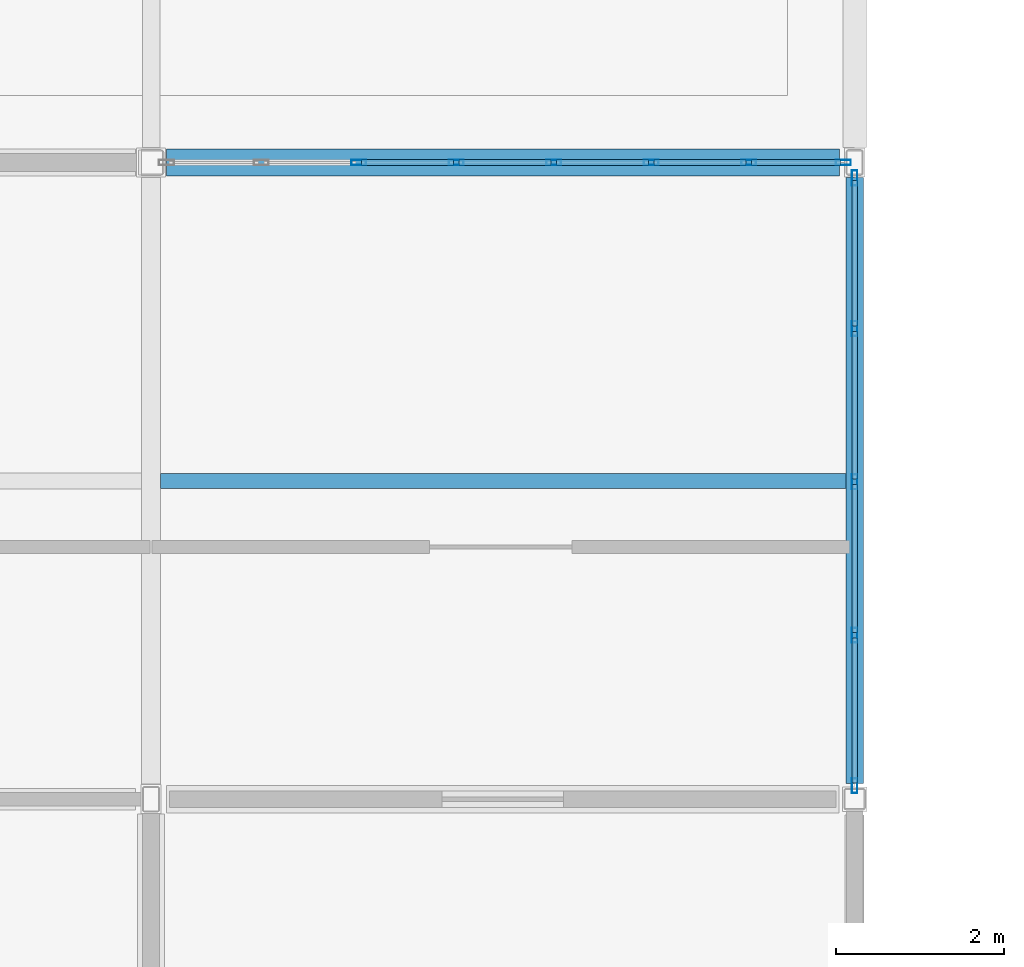
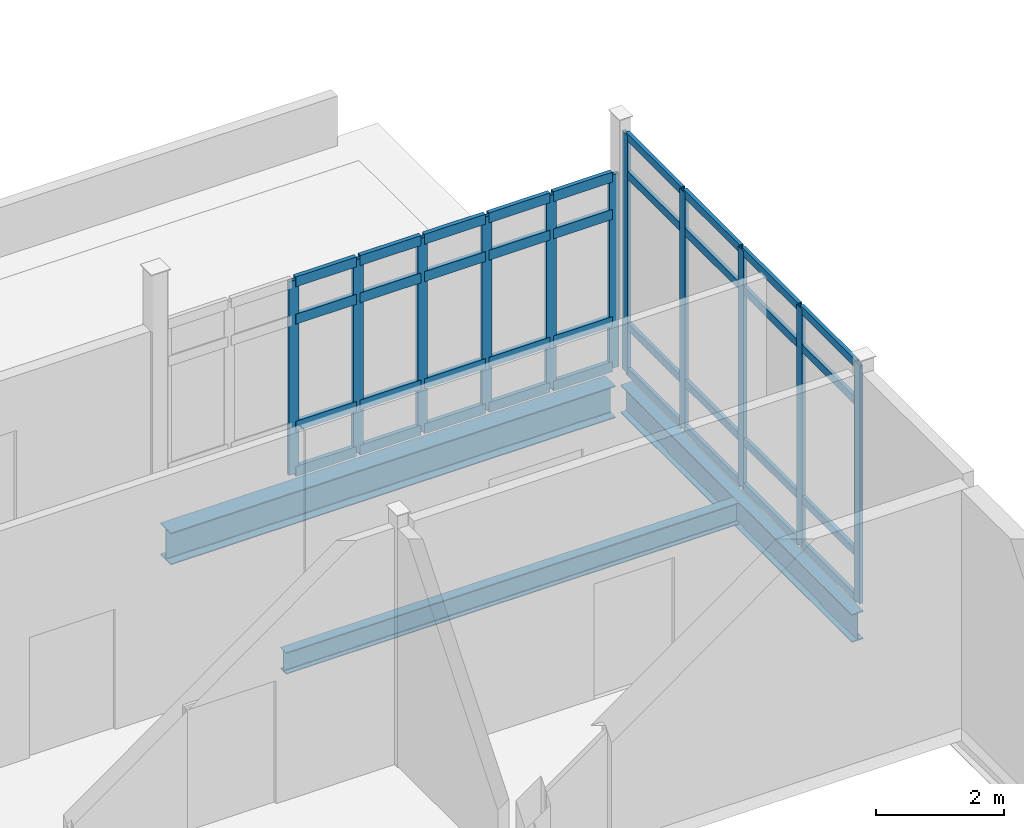
# One storey, part 42 of 186: 47 members, 3 beams, 2 elements without a shape of their own.
"""IFC4 building model written with IfcOpenShell, lengths in metres."""

from ifc_helpers import new_model, si_unit, direction, frame, origin, origin_2d, place, context, subcontext, project, spatial, hollow_rectangle, i_section, extrude, material, layer, layer_set, material_profile, profile_set, type_object, element, aggregate, save


model = new_model("IFC4")

# Units and contexts
model_context = context("Model", 3, precision=1e-05, world=origin(), true_north=direction((0.0, 1.0)))
body_context = subcontext(model_context, "Body", "Model", "MODEL_VIEW")
ifc_project = project(units=[si_unit("LENGTHUNIT", "METRE"), si_unit("AREAUNIT", "SQUARE_METRE"), si_unit("VOLUMEUNIT", "CUBIC_METRE"), si_unit("PLANEANGLEUNIT", "RADIAN"), si_unit("MASSUNIT", "GRAM", prefix="KILO")], contexts=[model_context])

# Site, building, storey
site_placement = place(None, origin())
site = spatial("IfcSite", under=ifc_project, at=site_placement, CompositionType="ELEMENT")
building_placement = place(site_placement, origin())
building = spatial("IfcBuilding", under=site, at=building_placement, Name="Calvrana Isthmian Art Gallery", CompositionType="ELEMENT")
storey_placement = place(building_placement, frame((0.0, 0.0, 5.39990234375)))
storey = spatial("IfcBuildingStorey", under=building, at=storey_placement, Name="L01", CompositionType="ELEMENT", Elevation=5.39990234375)

# Beams
ifc_material_1 = material(Name="Steel ASTM A992 Gr 50", Category="steel")
ifc_material_profile_1 = material_profile(ifc_material_1, i_section(OverallWidth=0.208984375, OverallDepth=0.532958984375, WebThickness=0.01025390625, FlangeThickness=0.015625, FilletRadius=0.02099609375, at=origin_2d()), Name="W21X62")
ifc_profile_set_1 = profile_set([ifc_material_profile_1], Name="Steel ASTM A992 Gr 50")
beam_type_1 = type_object("IfcBeamType", Name="BM-G-W21X62", PredefinedType="BEAM", material=ifc_profile_set_1)
beam_1_placement = place(storey_placement, frame((38.39990234375, 54.58642578125, -0.511474609375), z_axis=(0.0, 1.0, 0.0), x_axis=(-1.0, 0.0, 0.0)))
element("IfcBeam", 1, at=beam_1_placement, inside=storey, type_object=beam_type_1, Name="Girder Y L01 06/H-I", PredefinedType="BEAM", context=body_context, shape_type="SweptSolid", body=[
    extrude(i_section(OverallWidth=0.208984375, OverallDepth=0.532958984375, WebThickness=0.01025390625, FlangeThickness=0.015625, FilletRadius=0.02099609375, at=origin_2d()), origin(), (0.0, 0.0, 1.0), 7.235595703125),
])
ifc_material_profile_2 = material_profile(ifc_material_1, i_section(OverallWidth=0.324951171875, OverallDepth=0.612060546875, WebThickness=0.0126953125, FlangeThickness=0.01904296875, FilletRadius=0.02197265625, at=origin_2d()), Name="W24X104")
ifc_profile_set_2 = profile_set([ifc_material_profile_2], Name="Steel ASTM A992 Gr 50")
beam_type_2 = type_object("IfcBeamType", Name="BM-G-W24X104", PredefinedType="BEAM", material=ifc_profile_set_2)
beam_2_placement = place(storey_placement, frame((30.185546875, 62.0, -0.55078125), z_axis=(1.0, 0.0, 0.0), x_axis=(0.0, 1.0, 0.0)))
element("IfcBeam", 2, at=beam_2_placement, inside=storey, type_object=beam_type_2, Name="Girder X L01 05-06/I", PredefinedType="BEAM", context=body_context, shape_type="SweptSolid", body=[
    extrude(i_section(OverallWidth=0.324951171875, OverallDepth=0.612060546875, WebThickness=0.0126953125, FlangeThickness=0.01904296875, FilletRadius=0.02197265625, at=origin_2d()), origin(), (0.0, 0.0, 1.0), 8.030517578125),
])
ifc_material_profile_3 = material_profile(ifc_material_1, i_section(OverallWidth=0.179931640625, OverallDepth=0.4140625, WebThickness=0.009765625, FlangeThickness=0.01611328125, FilletRadius=0.01806640625, at=origin_2d()), Name="W16X50")
ifc_profile_set_3 = profile_set([ifc_material_profile_3], Name="Steel ASTM A992 Gr 50")
beam_type_3 = type_object("IfcBeamType", Name="BM-J-W16X50", PredefinedType="JOIST", material=ifc_profile_set_3)
beam_3_placement = place(storey_placement, frame((30.114013671875, 58.199951171875, -0.451904296875), z_axis=(1.0, 0.0, 0.0), x_axis=(0.0, 1.0, 0.0)))
element("IfcBeam", 3, at=beam_3_placement, inside=storey, type_object=beam_type_3, Name="Composite joist L01 bay 04-07", PredefinedType="JOIST", context=body_context, shape_type="SweptSolid", body=[
    extrude(i_section(OverallWidth=0.179931640625, OverallDepth=0.4140625, WebThickness=0.009765625, FlangeThickness=0.01611328125, FilletRadius=0.01806640625, at=origin_2d()), origin(), (0.0, 0.0, 1.0), 8.181396484375),
])

# Curtain wall, members
ifc_material_2 = material(Name="Anodized bronze aluminium 6063-T6", Category="aluminium")
ifc_layer_1 = layer(ifc_material_2, 0.179931640625, Name="Anodized bronze aluminium 6063-T6")
ifc_layer_set_1 = layer_set([ifc_layer_1], Name="Anodized bronze aluminium 6063-T6")
curtain_wall_type_1 = type_object("IfcCurtainWallType", Name="CW-UNIT-081X37", PredefinedType="USERDEFINED", material=ifc_layer_set_1)
curtain_wall_1_placement = place(storey_placement, origin())
curtain_wall_1 = element("IfcCurtainWall", 4, at=curtain_wall_1_placement, inside=storey, type_object=curtain_wall_type_1, Name="Curtain wall CW-104", ObjectType="UNITISED CURTAIN WALL", PredefinedType="USERDEFINED")
ifc_material_profile_4 = material_profile(ifc_material_2, hollow_rectangle(XDim=0.06494140625, YDim=0.179931640625, WallThickness=0.00439453125, at=origin_2d()), Name="CWM65X180")
ifc_profile_set_4 = profile_set([ifc_material_profile_4], Name="Anodized bronze aluminium 6063-T6")
member_type_1 = type_object("IfcMemberType", Name="CWM-CWM65X180", PredefinedType="MULLION", material=ifc_profile_set_4)
member_1_placement = place(storey_placement, frame((32.479736328125, 62.0, 0.0), z_axis=(0.0, 0.0, 1.0), x_axis=(0.0, 1.0, 0.0)))
member_1 = element("IfcMember", 5, at=member_1_placement, type_object=member_type_1, Name="CW-104 mullion 3", PredefinedType="MULLION", context=body_context, shape_type="SweptSolid", body=[
    extrude(hollow_rectangle(XDim=0.06494140625, YDim=0.179931640625, WallThickness=0.00439453125, at=origin_2d()), origin(), (0.0, 0.0, 1.0), 3.695068359375),
])
member_2_placement = place(storey_placement, frame((33.6435546875, 62.0, 0.0), z_axis=(0.0, 0.0, 1.0), x_axis=(0.0, 1.0, 0.0)))
member_2 = element("IfcMember", 6, at=member_2_placement, type_object=member_type_1, Name="CW-104 mullion 4", PredefinedType="MULLION", context=body_context, shape_type="SweptSolid", body=[
    extrude(hollow_rectangle(XDim=0.06494140625, YDim=0.179931640625, WallThickness=0.00439453125, at=origin_2d()), origin(), (0.0, 0.0, 1.0), 3.695068359375),
])
member_3_placement = place(storey_placement, frame((34.807373046875, 62.0, 0.0), z_axis=(0.0, 0.0, 1.0), x_axis=(0.0, 1.0, 0.0)))
member_3 = element("IfcMember", 7, at=member_3_placement, type_object=member_type_1, Name="CW-104 mullion 5", PredefinedType="MULLION", context=body_context, shape_type="SweptSolid", body=[
    extrude(hollow_rectangle(XDim=0.06494140625, YDim=0.179931640625, WallThickness=0.00439453125, at=origin_2d()), origin(), (0.0, 0.0, 1.0), 3.695068359375),
])
member_4_placement = place(storey_placement, frame((35.970947265625, 62.0, 0.0), z_axis=(0.0, 0.0, 1.0), x_axis=(0.0, 1.0, 0.0)))
member_4 = element("IfcMember", 8, at=member_4_placement, type_object=member_type_1, Name="CW-104 mullion 6", PredefinedType="MULLION", context=body_context, shape_type="SweptSolid", body=[
    extrude(hollow_rectangle(XDim=0.06494140625, YDim=0.179931640625, WallThickness=0.00439453125, at=origin_2d()), origin(), (0.0, 0.0, 1.0), 3.695068359375),
])
member_5_placement = place(storey_placement, frame((37.134765625, 62.0, 0.0), z_axis=(0.0, 0.0, 1.0), x_axis=(0.0, 1.0, 0.0)))
member_5 = element("IfcMember", 9, at=member_5_placement, type_object=member_type_1, Name="CW-104 mullion 7", PredefinedType="MULLION", context=body_context, shape_type="SweptSolid", body=[
    extrude(hollow_rectangle(XDim=0.06494140625, YDim=0.179931640625, WallThickness=0.00439453125, at=origin_2d()), origin(), (0.0, 0.0, 1.0), 3.695068359375),
])
member_6_placement = place(storey_placement, frame((38.265869140625, 62.0, 0.0), z_axis=(0.0, 0.0, 1.0), x_axis=(0.0, 1.0, 0.0)))
member_6 = element("IfcMember", 10, at=member_6_placement, type_object=member_type_1, Name="CW-104 mullion 8", PredefinedType="MULLION", context=body_context, shape_type="SweptSolid", body=[
    extrude(hollow_rectangle(XDim=0.06494140625, YDim=0.179931640625, WallThickness=0.00439453125, at=origin_2d()), origin(), (0.0, 0.0, 1.0), 3.695068359375),
])

ifc_layer_2 = layer(ifc_material_2, 0.179931640625, Name="Anodized bronze aluminium 6063-T6")
ifc_layer_set_2 = layer_set([ifc_layer_2], Name="Anodized bronze aluminium 6063-T6")
curtain_wall_type_2 = type_object("IfcCurtainWallType", Name="CW-UNIT-073X45", PredefinedType="USERDEFINED", material=ifc_layer_set_2)
curtain_wall_2_placement = place(storey_placement, origin())
curtain_wall_2 = element("IfcCurtainWall", 11, at=curtain_wall_2_placement, inside=storey, type_object=curtain_wall_type_2, Name="Curtain wall CW-122", ObjectType="UNITISED CURTAIN WALL", PredefinedType="USERDEFINED")
member_7_placement = place(storey_placement, frame((38.39990234375, 61.815185546875, 0.0), z_axis=(0.0, 0.0, 1.0), x_axis=(1.0, 0.0, 0.0)))
member_7 = element("IfcMember", 12, at=member_7_placement, type_object=member_type_1, Name="CW-122 mullion 1", PredefinedType="MULLION", context=body_context, shape_type="SweptSolid", body=[
    extrude(hollow_rectangle(XDim=0.06494140625, YDim=0.179931640625, WallThickness=0.00439453125, at=origin_2d()), origin(), (0.0, 0.0, 1.0), 4.5400390625),
])
member_8_placement = place(storey_placement, frame((38.39990234375, 60.017333984375, 0.0), z_axis=(0.0, 0.0, 1.0), x_axis=(1.0, 0.0, 0.0)))
member_8 = element("IfcMember", 13, at=member_8_placement, type_object=member_type_1, Name="CW-122 mullion 2", PredefinedType="MULLION", context=body_context, shape_type="SweptSolid", body=[
    extrude(hollow_rectangle(XDim=0.06494140625, YDim=0.179931640625, WallThickness=0.00439453125, at=origin_2d()), origin(), (0.0, 0.0, 1.0), 4.5400390625),
])
member_9_placement = place(storey_placement, frame((38.39990234375, 58.187255859375, 0.0), z_axis=(0.0, 0.0, 1.0), x_axis=(1.0, 0.0, 0.0)))
member_9 = element("IfcMember", 14, at=member_9_placement, type_object=member_type_1, Name="CW-122 mullion 3", PredefinedType="MULLION", context=body_context, shape_type="SweptSolid", body=[
    extrude(hollow_rectangle(XDim=0.06494140625, YDim=0.179931640625, WallThickness=0.00439453125, at=origin_2d()), origin(), (0.0, 0.0, 1.0), 4.5400390625),
])
member_10_placement = place(storey_placement, frame((38.39990234375, 56.357177734375, 0.0), z_axis=(0.0, 0.0, 1.0), x_axis=(1.0, 0.0, 0.0)))
member_10 = element("IfcMember", 15, at=member_10_placement, type_object=member_type_1, Name="CW-122 mullion 4", PredefinedType="MULLION", context=body_context, shape_type="SweptSolid", body=[
    extrude(hollow_rectangle(XDim=0.06494140625, YDim=0.179931640625, WallThickness=0.00439453125, at=origin_2d()), origin(), (0.0, 0.0, 1.0), 4.5400390625),
])
member_11_placement = place(storey_placement, frame((38.39990234375, 54.5595703125, 0.0), z_axis=(0.0, 0.0, 1.0), x_axis=(1.0, 0.0, 0.0)))
member_11 = element("IfcMember", 16, at=member_11_placement, type_object=member_type_1, Name="CW-122 mullion 5", PredefinedType="MULLION", context=body_context, shape_type="SweptSolid", body=[
    extrude(hollow_rectangle(XDim=0.06494140625, YDim=0.179931640625, WallThickness=0.00439453125, at=origin_2d()), origin(), (0.0, 0.0, 1.0), 4.5400390625),
])
ifc_material_profile_5 = material_profile(ifc_material_2, hollow_rectangle(XDim=0.06494140625, YDim=0.14990234375, WallThickness=0.00390625, at=origin_2d()), Name="CWT65X150")
ifc_profile_set_5 = profile_set([ifc_material_profile_5], Name="Anodized bronze aluminium 6063-T6")
member_type_2 = type_object("IfcMemberType", Name="CWT-CWT65X150", PredefinedType="USERDEFINED", material=ifc_profile_set_5)
member_12_placement = place(storey_placement, frame((38.39990234375, 61.78271484375, 0.03271484375), z_axis=(0.0, -1.0, 0.0), x_axis=(1.0, 0.0, 0.0)))
member_12 = element("IfcMember", 17, at=member_12_placement, type_object=member_type_2, Name="CW-122 transom 1.1", ObjectType="TRANSOM", PredefinedType="USERDEFINED", context=body_context, shape_type="SweptSolid", body=[
    extrude(hollow_rectangle(XDim=0.06494140625, YDim=0.14990234375, WallThickness=0.00390625, at=origin_2d()), origin(), (0.0, 0.0, 1.0), 1.732666015625),
])
member_13_placement = place(storey_placement, frame((38.39990234375, 61.78271484375, 0.900146484375), z_axis=(0.0, -1.0, 0.0), x_axis=(1.0, 0.0, 0.0)))
member_13 = element("IfcMember", 18, at=member_13_placement, type_object=member_type_2, Name="CW-122 transom 1.2", ObjectType="TRANSOM", PredefinedType="USERDEFINED", context=body_context, shape_type="SweptSolid", body=[
    extrude(hollow_rectangle(XDim=0.06494140625, YDim=0.14990234375, WallThickness=0.00390625, at=origin_2d()), origin(), (0.0, 0.0, 1.0), 1.732666015625),
])
member_14_placement = place(storey_placement, frame((38.39990234375, 61.78271484375, 3.7900390625), z_axis=(0.0, -1.0, 0.0), x_axis=(1.0, 0.0, 0.0)))
member_14 = element("IfcMember", 19, at=member_14_placement, type_object=member_type_2, Name="CW-122 transom 1.3", ObjectType="TRANSOM", PredefinedType="USERDEFINED", context=body_context, shape_type="SweptSolid", body=[
    extrude(hollow_rectangle(XDim=0.06494140625, YDim=0.14990234375, WallThickness=0.00390625, at=origin_2d()), origin(), (0.0, 0.0, 1.0), 1.732666015625),
])
member_15_placement = place(storey_placement, frame((38.39990234375, 61.78271484375, 4.507568359375), z_axis=(0.0, -1.0, 0.0), x_axis=(1.0, 0.0, 0.0)))
member_15 = element("IfcMember", 20, at=member_15_placement, type_object=member_type_2, Name="CW-122 transom 1.4", ObjectType="TRANSOM", PredefinedType="USERDEFINED", context=body_context, shape_type="SweptSolid", body=[
    extrude(hollow_rectangle(XDim=0.06494140625, YDim=0.14990234375, WallThickness=0.00390625, at=origin_2d()), origin(), (0.0, 0.0, 1.0), 1.732666015625),
])
member_16_placement = place(storey_placement, frame((38.39990234375, 59.98486328125, 0.03271484375), z_axis=(0.0, -1.0, 0.0), x_axis=(1.0, 0.0, 0.0)))
member_16 = element("IfcMember", 21, at=member_16_placement, type_object=member_type_2, Name="CW-122 transom 2.1", ObjectType="TRANSOM", PredefinedType="USERDEFINED", context=body_context, shape_type="SweptSolid", body=[
    extrude(hollow_rectangle(XDim=0.06494140625, YDim=0.14990234375, WallThickness=0.00390625, at=origin_2d()), origin(), (0.0, 0.0, 1.0), 1.76513671875),
])
member_17_placement = place(storey_placement, frame((38.39990234375, 59.98486328125, 0.900146484375), z_axis=(0.0, -1.0, 0.0), x_axis=(1.0, 0.0, 0.0)))
member_17 = element("IfcMember", 22, at=member_17_placement, type_object=member_type_2, Name="CW-122 transom 2.2", ObjectType="TRANSOM", PredefinedType="USERDEFINED", context=body_context, shape_type="SweptSolid", body=[
    extrude(hollow_rectangle(XDim=0.06494140625, YDim=0.14990234375, WallThickness=0.00390625, at=origin_2d()), origin(), (0.0, 0.0, 1.0), 1.76513671875),
])
member_18_placement = place(storey_placement, frame((38.39990234375, 59.98486328125, 3.7900390625), z_axis=(0.0, -1.0, 0.0), x_axis=(1.0, 0.0, 0.0)))
member_18 = element("IfcMember", 23, at=member_18_placement, type_object=member_type_2, Name="CW-122 transom 2.3", ObjectType="TRANSOM", PredefinedType="USERDEFINED", context=body_context, shape_type="SweptSolid", body=[
    extrude(hollow_rectangle(XDim=0.06494140625, YDim=0.14990234375, WallThickness=0.00390625, at=origin_2d()), origin(), (0.0, 0.0, 1.0), 1.76513671875),
])
member_19_placement = place(storey_placement, frame((38.39990234375, 59.98486328125, 4.507568359375), z_axis=(0.0, -1.0, 0.0), x_axis=(1.0, 0.0, 0.0)))
member_19 = element("IfcMember", 24, at=member_19_placement, type_object=member_type_2, Name="CW-122 transom 2.4", ObjectType="TRANSOM", PredefinedType="USERDEFINED", context=body_context, shape_type="SweptSolid", body=[
    extrude(hollow_rectangle(XDim=0.06494140625, YDim=0.14990234375, WallThickness=0.00390625, at=origin_2d()), origin(), (0.0, 0.0, 1.0), 1.76513671875),
])
member_20_placement = place(storey_placement, frame((38.39990234375, 58.15478515625, 0.03271484375), z_axis=(0.0, -1.0, 0.0), x_axis=(1.0, 0.0, 0.0)))
member_20 = element("IfcMember", 25, at=member_20_placement, type_object=member_type_2, Name="CW-122 transom 3.1", ObjectType="TRANSOM", PredefinedType="USERDEFINED", context=body_context, shape_type="SweptSolid", body=[
    extrude(hollow_rectangle(XDim=0.06494140625, YDim=0.14990234375, WallThickness=0.00390625, at=origin_2d()), origin(), (0.0, 0.0, 1.0), 1.76513671875),
])
member_21_placement = place(storey_placement, frame((38.39990234375, 58.15478515625, 0.900146484375), z_axis=(0.0, -1.0, 0.0), x_axis=(1.0, 0.0, 0.0)))
member_21 = element("IfcMember", 26, at=member_21_placement, type_object=member_type_2, Name="CW-122 transom 3.2", ObjectType="TRANSOM", PredefinedType="USERDEFINED", context=body_context, shape_type="SweptSolid", body=[
    extrude(hollow_rectangle(XDim=0.06494140625, YDim=0.14990234375, WallThickness=0.00390625, at=origin_2d()), origin(), (0.0, 0.0, 1.0), 1.76513671875),
])
member_22_placement = place(storey_placement, frame((38.39990234375, 58.15478515625, 3.7900390625), z_axis=(0.0, -1.0, 0.0), x_axis=(1.0, 0.0, 0.0)))
member_22 = element("IfcMember", 27, at=member_22_placement, type_object=member_type_2, Name="CW-122 transom 3.3", ObjectType="TRANSOM", PredefinedType="USERDEFINED", context=body_context, shape_type="SweptSolid", body=[
    extrude(hollow_rectangle(XDim=0.06494140625, YDim=0.14990234375, WallThickness=0.00390625, at=origin_2d()), origin(), (0.0, 0.0, 1.0), 1.76513671875),
])
member_23_placement = place(storey_placement, frame((38.39990234375, 58.15478515625, 4.507568359375), z_axis=(0.0, -1.0, 0.0), x_axis=(1.0, 0.0, 0.0)))
member_23 = element("IfcMember", 28, at=member_23_placement, type_object=member_type_2, Name="CW-122 transom 3.4", ObjectType="TRANSOM", PredefinedType="USERDEFINED", context=body_context, shape_type="SweptSolid", body=[
    extrude(hollow_rectangle(XDim=0.06494140625, YDim=0.14990234375, WallThickness=0.00390625, at=origin_2d()), origin(), (0.0, 0.0, 1.0), 1.76513671875),
])
member_24_placement = place(storey_placement, frame((38.39990234375, 56.32470703125, 0.03271484375), z_axis=(0.0, -1.0, 0.0), x_axis=(1.0, 0.0, 0.0)))
member_24 = element("IfcMember", 29, at=member_24_placement, type_object=member_type_2, Name="CW-122 transom 4.1", ObjectType="TRANSOM", PredefinedType="USERDEFINED", context=body_context, shape_type="SweptSolid", body=[
    extrude(hollow_rectangle(XDim=0.06494140625, YDim=0.14990234375, WallThickness=0.00390625, at=origin_2d()), origin(), (0.0, 0.0, 1.0), 1.732666015625),
])
member_25_placement = place(storey_placement, frame((38.39990234375, 56.32470703125, 0.900146484375), z_axis=(0.0, -1.0, 0.0), x_axis=(1.0, 0.0, 0.0)))
member_25 = element("IfcMember", 30, at=member_25_placement, type_object=member_type_2, Name="CW-122 transom 4.2", ObjectType="TRANSOM", PredefinedType="USERDEFINED", context=body_context, shape_type="SweptSolid", body=[
    extrude(hollow_rectangle(XDim=0.06494140625, YDim=0.14990234375, WallThickness=0.00390625, at=origin_2d()), origin(), (0.0, 0.0, 1.0), 1.732666015625),
])
member_26_placement = place(storey_placement, frame((38.39990234375, 56.32470703125, 3.7900390625), z_axis=(0.0, -1.0, 0.0), x_axis=(1.0, 0.0, 0.0)))
member_26 = element("IfcMember", 31, at=member_26_placement, type_object=member_type_2, Name="CW-122 transom 4.3", ObjectType="TRANSOM", PredefinedType="USERDEFINED", context=body_context, shape_type="SweptSolid", body=[
    extrude(hollow_rectangle(XDim=0.06494140625, YDim=0.14990234375, WallThickness=0.00390625, at=origin_2d()), origin(), (0.0, 0.0, 1.0), 1.732666015625),
])
member_27_placement = place(storey_placement, frame((38.39990234375, 56.32470703125, 4.507568359375), z_axis=(0.0, -1.0, 0.0), x_axis=(1.0, 0.0, 0.0)))
member_27 = element("IfcMember", 32, at=member_27_placement, type_object=member_type_2, Name="CW-122 transom 4.4", ObjectType="TRANSOM", PredefinedType="USERDEFINED", context=body_context, shape_type="SweptSolid", body=[
    extrude(hollow_rectangle(XDim=0.06494140625, YDim=0.14990234375, WallThickness=0.00390625, at=origin_2d()), origin(), (0.0, 0.0, 1.0), 1.732666015625),
])
aggregate(curtain_wall_2, [member_7, member_8, member_9, member_10, member_11, member_12, member_13, member_14, member_15, member_16, member_17, member_18, member_19, member_20, member_21, member_22, member_23, member_24, member_25, member_26, member_27])

# Member
ifc_material_profile_6 = material_profile(ifc_material_2, hollow_rectangle(XDim=0.074951171875, YDim=0.18994140625, WallThickness=0.00439453125, at=origin_2d()), Name="CWT75X190")
ifc_profile_set_6 = profile_set([ifc_material_profile_6], Name="Anodized bronze aluminium 6063-T6")
member_type_3 = type_object("IfcMemberType", Name="CWT-CWT75X190", PredefinedType="USERDEFINED", material=ifc_profile_set_6)
member_28_placement = place(storey_placement, frame((32.51220703125, 62.0, 0.03759765625), z_axis=(1.0, 0.0, 0.0), x_axis=(0.0, 1.0, 0.0)))
member_28 = element("IfcMember", 33, at=member_28_placement, type_object=member_type_3, Name="CW-104 transom 3.1", ObjectType="TRANSOM", PredefinedType="USERDEFINED", context=body_context, shape_type="SweptSolid", body=[
    extrude(hollow_rectangle(XDim=0.074951171875, YDim=0.18994140625, WallThickness=0.00439453125, at=origin_2d()), origin(), (0.0, 0.0, 1.0), 1.098876953125),
])

member_29_placement = place(storey_placement, frame((32.51220703125, 62.0, 0.900146484375), z_axis=(1.0, 0.0, 0.0), x_axis=(0.0, 1.0, 0.0)))
member_29 = element("IfcMember", 34, at=member_29_placement, type_object=member_type_3, Name="CW-104 transom 3.2", ObjectType="TRANSOM", PredefinedType="USERDEFINED", context=body_context, shape_type="SweptSolid", body=[
    extrude(hollow_rectangle(XDim=0.074951171875, YDim=0.18994140625, WallThickness=0.00439453125, at=origin_2d()), origin(), (0.0, 0.0, 1.0), 1.098876953125),
])

member_30_placement = place(storey_placement, frame((32.51220703125, 62.0, 2.945068359375), z_axis=(1.0, 0.0, 0.0), x_axis=(0.0, 1.0, 0.0)))
member_30 = element("IfcMember", 35, at=member_30_placement, type_object=member_type_3, Name="CW-104 transom 3.3", ObjectType="TRANSOM", PredefinedType="USERDEFINED", context=body_context, shape_type="SweptSolid", body=[
    extrude(hollow_rectangle(XDim=0.074951171875, YDim=0.18994140625, WallThickness=0.00439453125, at=origin_2d()), origin(), (0.0, 0.0, 1.0), 1.098876953125),
])

member_31_placement = place(storey_placement, frame((32.51220703125, 62.0, 3.65771484375), z_axis=(1.0, 0.0, 0.0), x_axis=(0.0, 1.0, 0.0)))
member_31 = element("IfcMember", 36, at=member_31_placement, type_object=member_type_3, Name="CW-104 transom 3.4", ObjectType="TRANSOM", PredefinedType="USERDEFINED", context=body_context, shape_type="SweptSolid", body=[
    extrude(hollow_rectangle(XDim=0.074951171875, YDim=0.18994140625, WallThickness=0.00439453125, at=origin_2d()), origin(), (0.0, 0.0, 1.0), 1.098876953125),
])

member_32_placement = place(storey_placement, frame((33.676025390625, 62.0, 0.03759765625), z_axis=(1.0, 0.0, 0.0), x_axis=(0.0, 1.0, 0.0)))
member_32 = element("IfcMember", 37, at=member_32_placement, type_object=member_type_3, Name="CW-104 transom 4.1", ObjectType="TRANSOM", PredefinedType="USERDEFINED", context=body_context, shape_type="SweptSolid", body=[
    extrude(hollow_rectangle(XDim=0.074951171875, YDim=0.18994140625, WallThickness=0.00439453125, at=origin_2d()), origin(), (0.0, 0.0, 1.0), 1.0986328125),
])

member_33_placement = place(storey_placement, frame((33.676025390625, 62.0, 0.900146484375), z_axis=(1.0, 0.0, 0.0), x_axis=(0.0, 1.0, 0.0)))
member_33 = element("IfcMember", 38, at=member_33_placement, type_object=member_type_3, Name="CW-104 transom 4.2", ObjectType="TRANSOM", PredefinedType="USERDEFINED", context=body_context, shape_type="SweptSolid", body=[
    extrude(hollow_rectangle(XDim=0.074951171875, YDim=0.18994140625, WallThickness=0.00439453125, at=origin_2d()), origin(), (0.0, 0.0, 1.0), 1.0986328125),
])

member_34_placement = place(storey_placement, frame((33.676025390625, 62.0, 2.945068359375), z_axis=(1.0, 0.0, 0.0), x_axis=(0.0, 1.0, 0.0)))
member_34 = element("IfcMember", 39, at=member_34_placement, type_object=member_type_3, Name="CW-104 transom 4.3", ObjectType="TRANSOM", PredefinedType="USERDEFINED", context=body_context, shape_type="SweptSolid", body=[
    extrude(hollow_rectangle(XDim=0.074951171875, YDim=0.18994140625, WallThickness=0.00439453125, at=origin_2d()), origin(), (0.0, 0.0, 1.0), 1.0986328125),
])

member_35_placement = place(storey_placement, frame((33.676025390625, 62.0, 3.65771484375), z_axis=(1.0, 0.0, 0.0), x_axis=(0.0, 1.0, 0.0)))
member_35 = element("IfcMember", 40, at=member_35_placement, type_object=member_type_3, Name="CW-104 transom 4.4", ObjectType="TRANSOM", PredefinedType="USERDEFINED", context=body_context, shape_type="SweptSolid", body=[
    extrude(hollow_rectangle(XDim=0.074951171875, YDim=0.18994140625, WallThickness=0.00439453125, at=origin_2d()), origin(), (0.0, 0.0, 1.0), 1.0986328125),
])

member_36_placement = place(storey_placement, frame((34.83984375, 62.0, 0.03759765625), z_axis=(1.0, 0.0, 0.0), x_axis=(0.0, 1.0, 0.0)))
member_36 = element("IfcMember", 41, at=member_36_placement, type_object=member_type_3, Name="CW-104 transom 5.1", ObjectType="TRANSOM", PredefinedType="USERDEFINED", context=body_context, shape_type="SweptSolid", body=[
    extrude(hollow_rectangle(XDim=0.074951171875, YDim=0.18994140625, WallThickness=0.00439453125, at=origin_2d()), origin(), (0.0, 0.0, 1.0), 1.0986328125),
])

member_37_placement = place(storey_placement, frame((34.83984375, 62.0, 0.900146484375), z_axis=(1.0, 0.0, 0.0), x_axis=(0.0, 1.0, 0.0)))
member_37 = element("IfcMember", 42, at=member_37_placement, type_object=member_type_3, Name="CW-104 transom 5.2", ObjectType="TRANSOM", PredefinedType="USERDEFINED", context=body_context, shape_type="SweptSolid", body=[
    extrude(hollow_rectangle(XDim=0.074951171875, YDim=0.18994140625, WallThickness=0.00439453125, at=origin_2d()), origin(), (0.0, 0.0, 1.0), 1.0986328125),
])

member_38_placement = place(storey_placement, frame((34.83984375, 62.0, 2.945068359375), z_axis=(1.0, 0.0, 0.0), x_axis=(0.0, 1.0, 0.0)))
member_38 = element("IfcMember", 43, at=member_38_placement, type_object=member_type_3, Name="CW-104 transom 5.3", ObjectType="TRANSOM", PredefinedType="USERDEFINED", context=body_context, shape_type="SweptSolid", body=[
    extrude(hollow_rectangle(XDim=0.074951171875, YDim=0.18994140625, WallThickness=0.00439453125, at=origin_2d()), origin(), (0.0, 0.0, 1.0), 1.0986328125),
])

member_39_placement = place(storey_placement, frame((34.83984375, 62.0, 3.65771484375), z_axis=(1.0, 0.0, 0.0), x_axis=(0.0, 1.0, 0.0)))
member_39 = element("IfcMember", 44, at=member_39_placement, type_object=member_type_3, Name="CW-104 transom 5.4", ObjectType="TRANSOM", PredefinedType="USERDEFINED", context=body_context, shape_type="SweptSolid", body=[
    extrude(hollow_rectangle(XDim=0.074951171875, YDim=0.18994140625, WallThickness=0.00439453125, at=origin_2d()), origin(), (0.0, 0.0, 1.0), 1.0986328125),
])

member_40_placement = place(storey_placement, frame((36.00341796875, 62.0, 0.03759765625), z_axis=(1.0, 0.0, 0.0), x_axis=(0.0, 1.0, 0.0)))
member_40 = element("IfcMember", 45, at=member_40_placement, type_object=member_type_3, Name="CW-104 transom 6.1", ObjectType="TRANSOM", PredefinedType="USERDEFINED", context=body_context, shape_type="SweptSolid", body=[
    extrude(hollow_rectangle(XDim=0.074951171875, YDim=0.18994140625, WallThickness=0.00439453125, at=origin_2d()), origin(), (0.0, 0.0, 1.0), 1.098876953125),
])

member_41_placement = place(storey_placement, frame((36.00341796875, 62.0, 0.900146484375), z_axis=(1.0, 0.0, 0.0), x_axis=(0.0, 1.0, 0.0)))
member_41 = element("IfcMember", 46, at=member_41_placement, type_object=member_type_3, Name="CW-104 transom 6.2", ObjectType="TRANSOM", PredefinedType="USERDEFINED", context=body_context, shape_type="SweptSolid", body=[
    extrude(hollow_rectangle(XDim=0.074951171875, YDim=0.18994140625, WallThickness=0.00439453125, at=origin_2d()), origin(), (0.0, 0.0, 1.0), 1.098876953125),
])

member_42_placement = place(storey_placement, frame((36.00341796875, 62.0, 2.945068359375), z_axis=(1.0, 0.0, 0.0), x_axis=(0.0, 1.0, 0.0)))
member_42 = element("IfcMember", 47, at=member_42_placement, type_object=member_type_3, Name="CW-104 transom 6.3", ObjectType="TRANSOM", PredefinedType="USERDEFINED", context=body_context, shape_type="SweptSolid", body=[
    extrude(hollow_rectangle(XDim=0.074951171875, YDim=0.18994140625, WallThickness=0.00439453125, at=origin_2d()), origin(), (0.0, 0.0, 1.0), 1.098876953125),
])

member_43_placement = place(storey_placement, frame((36.00341796875, 62.0, 3.65771484375), z_axis=(1.0, 0.0, 0.0), x_axis=(0.0, 1.0, 0.0)))
member_43 = element("IfcMember", 48, at=member_43_placement, type_object=member_type_3, Name="CW-104 transom 6.4", ObjectType="TRANSOM", PredefinedType="USERDEFINED", context=body_context, shape_type="SweptSolid", body=[
    extrude(hollow_rectangle(XDim=0.074951171875, YDim=0.18994140625, WallThickness=0.00439453125, at=origin_2d()), origin(), (0.0, 0.0, 1.0), 1.098876953125),
])

member_44_placement = place(storey_placement, frame((37.167236328125, 62.0, 0.03759765625), z_axis=(1.0, 0.0, 0.0), x_axis=(0.0, 1.0, 0.0)))
member_44 = element("IfcMember", 49, at=member_44_placement, type_object=member_type_3, Name="CW-104 transom 7.1", ObjectType="TRANSOM", PredefinedType="USERDEFINED", context=body_context, shape_type="SweptSolid", body=[
    extrude(hollow_rectangle(XDim=0.074951171875, YDim=0.18994140625, WallThickness=0.00439453125, at=origin_2d()), origin(), (0.0, 0.0, 1.0), 1.066162109375),
])

member_45_placement = place(storey_placement, frame((37.167236328125, 62.0, 0.900146484375), z_axis=(1.0, 0.0, 0.0), x_axis=(0.0, 1.0, 0.0)))
member_45 = element("IfcMember", 50, at=member_45_placement, type_object=member_type_3, Name="CW-104 transom 7.2", ObjectType="TRANSOM", PredefinedType="USERDEFINED", context=body_context, shape_type="SweptSolid", body=[
    extrude(hollow_rectangle(XDim=0.074951171875, YDim=0.18994140625, WallThickness=0.00439453125, at=origin_2d()), origin(), (0.0, 0.0, 1.0), 1.066162109375),
])

member_46_placement = place(storey_placement, frame((37.167236328125, 62.0, 2.945068359375), z_axis=(1.0, 0.0, 0.0), x_axis=(0.0, 1.0, 0.0)))
member_46 = element("IfcMember", 51, at=member_46_placement, type_object=member_type_3, Name="CW-104 transom 7.3", ObjectType="TRANSOM", PredefinedType="USERDEFINED", context=body_context, shape_type="SweptSolid", body=[
    extrude(hollow_rectangle(XDim=0.074951171875, YDim=0.18994140625, WallThickness=0.00439453125, at=origin_2d()), origin(), (0.0, 0.0, 1.0), 1.066162109375),
])

member_47_placement = place(storey_placement, frame((37.167236328125, 62.0, 3.65771484375), z_axis=(1.0, 0.0, 0.0), x_axis=(0.0, 1.0, 0.0)))
member_47 = element("IfcMember", 52, at=member_47_placement, type_object=member_type_3, Name="CW-104 transom 7.4", ObjectType="TRANSOM", PredefinedType="USERDEFINED", context=body_context, shape_type="SweptSolid", body=[
    extrude(hollow_rectangle(XDim=0.074951171875, YDim=0.18994140625, WallThickness=0.00439453125, at=origin_2d()), origin(), (0.0, 0.0, 1.0), 1.066162109375),
])

aggregate(curtain_wall_1, [member_1, member_2, member_3, member_4, member_5, member_6, member_28, member_29, member_30, member_31, member_32, member_33, member_34, member_35, member_36, member_37, member_38, member_39, member_40, member_41, member_42, member_43, member_44, member_45, member_46, member_47])

save(model, "model.ifc")
